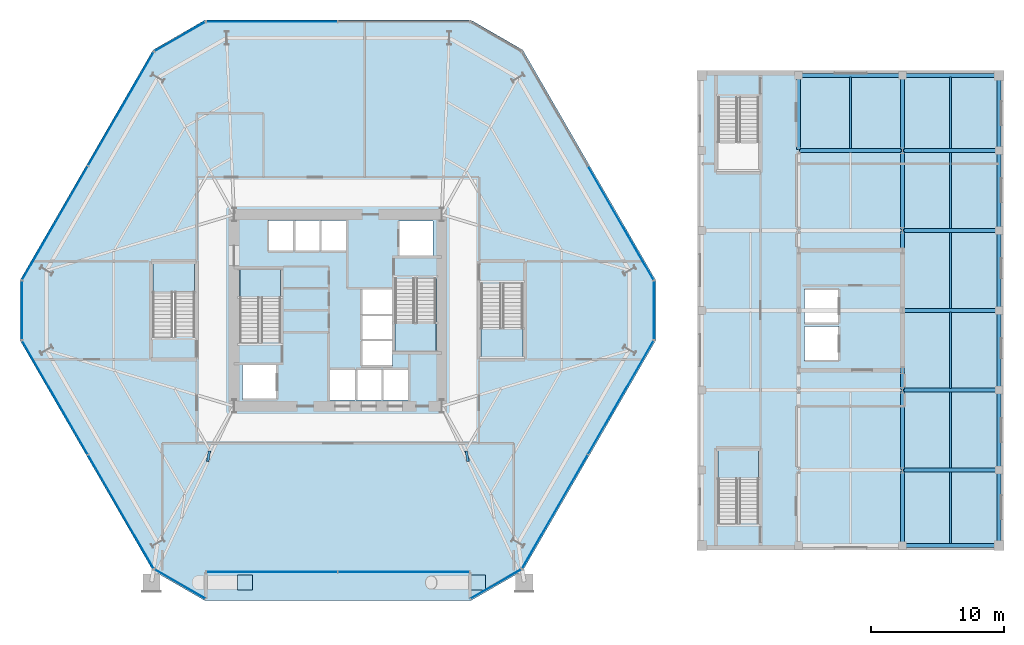
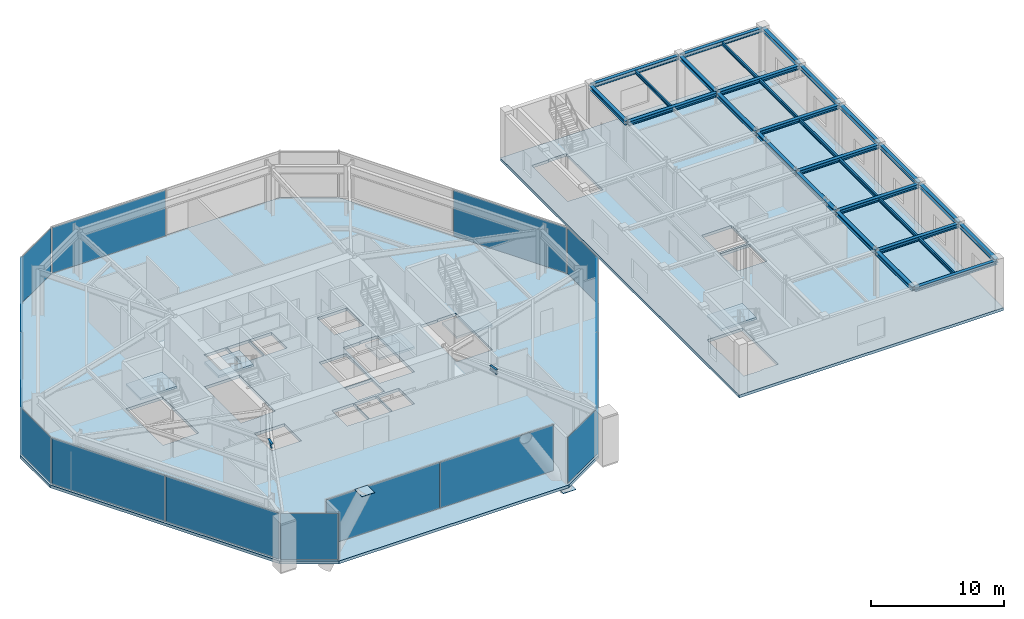
# One storey, part 14 of 23: 31 beams, 17 plates, 7 slabs, 16 elements without a shape of their own.
"""IFC4 building model written with IfcOpenShell, lengths in metres."""

from ifc_helpers import new_model, si_unit, direction, frame, origin, origin_2d, place, context, subcontext, project, spatial, polyline, rectangle, i_section, outline, extrude, material, layer, layer_set, material_profile, profile_set, type_object, element, aggregate, save


model = new_model("IFC4")

# Units and contexts
model_context = context("Model", 3, precision=1e-05, world=origin(), true_north=direction((0.0, 1.0)))
body_context = subcontext(model_context, "Body", "Model", "MODEL_VIEW")
ifc_project = project(units=[si_unit("LENGTHUNIT", "METRE"), si_unit("AREAUNIT", "SQUARE_METRE"), si_unit("VOLUMEUNIT", "CUBIC_METRE"), si_unit("PLANEANGLEUNIT", "RADIAN"), si_unit("MASSUNIT", "GRAM", prefix="KILO")], contexts=[model_context])

# Site, building, storey
site_placement = place(None, origin())
site = spatial("IfcSite", under=ifc_project, at=site_placement, CompositionType="ELEMENT")
building_placement = place(site_placement, origin())
building = spatial("IfcBuilding", under=site, at=building_placement, Name="Kranzbogen Civic Tower", CompositionType="ELEMENT")
storey_placement = place(building_placement, frame((0.0, 0.0, 9.800048828125)))
storey = spatial("IfcBuildingStorey", under=building, at=storey_placement, Name="L02", CompositionType="ELEMENT", Elevation=9.800048828125)

# Beams
ifc_material_1 = material(Name="Steel S355", Category="steel")
ifc_material_profile_1 = material_profile(ifc_material_1, i_section(OverallWidth=0.300048828125, OverallDepth=0.360107421875, WebThickness=0.012451171875, FlangeThickness=0.0224609375, at=origin_2d()), Name="HEB 360")
ifc_profile_set_1 = profile_set([ifc_material_profile_1], Name="Steel S355")
beam_type_1 = type_object("IfcBeamType", Name="Health Centre Primary Floor Beam HEB 360", PredefinedType="BEAM", material=ifc_profile_set_1)
for number, where, z_axis, x_axis, name in (
    (1, (67.4599609375, 7.35009765625, 4.159912109375), (1.0, 0.0, 0.0), (0.0, 1.0, 0.0), "L02 Health Centre X girder 3-1"),
    (2, (67.4599609375, 13.0, 4.159912109375), (1.0, 0.0, 0.0), (0.0, 1.0, 0.0), "L02 Health Centre X girder 3-2"),
    (3, (67.4599609375, 19.0, 4.159912109375), (1.0, 0.0, 0.0), (0.0, 1.0, 0.0), "L02 Health Centre X girder 3-3"),
    (4, (67.4599609375, 25.0, 4.159912109375), (1.0, 0.0, 0.0), (0.0, 1.0, 0.0), "L02 Health Centre X girder 3-4"),
    (5, (67.4599609375, 31.0, 4.159912109375), (1.0, 0.0, 0.0), (0.0, 1.0, 0.0), "L02 Health Centre X girder 3-5"),
):
    element("IfcBeam", number, at=place(storey_placement, frame(where, z_axis=z_axis, x_axis=x_axis)), inside=storey, type_object=beam_type_1, Name=name, PredefinedType="BEAM", context=body_context, shape_type="SweptSolid", body=[
        extrude(i_section(OverallWidth=0.300048828125, OverallDepth=0.360107421875, WebThickness=0.012451171875, FlangeThickness=0.0224609375, at=origin_2d()), origin(), (0.0, 0.0, 1.0), 7.130126953125),
    ])
beam_1_placement = place(storey_placement, frame((59.659912109375, 37.0, 4.159912109375), z_axis=(1.0, 0.0, 0.0), x_axis=(0.0, 1.0, 0.0)))
element("IfcBeam", 6, at=beam_1_placement, inside=storey, type_object=beam_type_1, Name="L02 Health Centre X girder 2-6", PredefinedType="BEAM", context=body_context, shape_type="SweptSolid", body=[
    extrude(i_section(OverallWidth=0.300048828125, OverallDepth=0.360107421875, WebThickness=0.012451171875, FlangeThickness=0.0224609375, at=origin_2d()), origin(), (0.0, 0.0, 1.0), 7.68017578125),
])
beam_2_placement = place(storey_placement, frame((67.4599609375, 37.0, 4.159912109375), z_axis=(1.0, 0.0, 0.0), x_axis=(0.0, 1.0, 0.0)))
element("IfcBeam", 7, at=beam_2_placement, inside=storey, type_object=beam_type_1, Name="L02 Health Centre X girder 3-6", PredefinedType="BEAM", context=body_context, shape_type="SweptSolid", body=[
    extrude(i_section(OverallWidth=0.300048828125, OverallDepth=0.360107421875, WebThickness=0.012451171875, FlangeThickness=0.0224609375, at=origin_2d()), origin(), (0.0, 0.0, 1.0), 7.130126953125),
])
beam_3_placement = place(storey_placement, frame((59.659912109375, 42.64990234375, 4.159912109375), z_axis=(1.0, 0.0, 0.0), x_axis=(0.0, 1.0, 0.0)))
element("IfcBeam", 8, at=beam_3_placement, inside=storey, type_object=beam_type_1, Name="L02 Health Centre X girder 2-7", PredefinedType="BEAM", context=body_context, shape_type="SweptSolid", body=[
    extrude(i_section(OverallWidth=0.300048828125, OverallDepth=0.360107421875, WebThickness=0.012451171875, FlangeThickness=0.0224609375, at=origin_2d()), origin(), (0.0, 0.0, 1.0), 7.68017578125),
])
beam_4_placement = place(storey_placement, frame((67.4599609375, 42.64990234375, 4.159912109375), z_axis=(1.0, 0.0, 0.0), x_axis=(0.0, 1.0, 0.0)))
element("IfcBeam", 9, at=beam_4_placement, inside=storey, type_object=beam_type_1, Name="L02 Health Centre X girder 3-7", PredefinedType="BEAM", context=body_context, shape_type="SweptSolid", body=[
    extrude(i_section(OverallWidth=0.300048828125, OverallDepth=0.360107421875, WebThickness=0.012451171875, FlangeThickness=0.0224609375, at=origin_2d()), origin(), (0.0, 0.0, 1.0), 7.130126953125),
])
for number, where, z_axis, x_axis, name in (
    (10, (67.39990234375, 7.409912109375, 4.159912109375), (0.0, 1.0, 0.0), (-1.0, 0.0, 0.0), "L02 Health Centre Y girder 3-1"),
    (11, (74.64990234375, 7.409912109375, 4.159912109375), (0.0, 1.0, 0.0), (-1.0, 0.0, 0.0), "L02 Health Centre Y girder 4-1"),
):
    element("IfcBeam", number, at=place(storey_placement, frame(where, z_axis=z_axis, x_axis=x_axis)), inside=storey, type_object=beam_type_1, Name=name, PredefinedType="BEAM", context=body_context, shape_type="SweptSolid", body=[
        extrude(i_section(OverallWidth=0.300048828125, OverallDepth=0.360107421875, WebThickness=0.012451171875, FlangeThickness=0.0224609375, at=origin_2d()), origin(), (0.0, 0.0, 1.0), 5.530029296875),
    ])
for number, where, z_axis, x_axis, name in (
    (12, (67.39990234375, 13.06005859375, 4.159912109375), (0.0, 1.0, 0.0), (-1.0, 0.0, 0.0), "L02 Health Centre Y girder 3-2"),
    (13, (74.64990234375, 13.06005859375, 4.159912109375), (0.0, 1.0, 0.0), (-1.0, 0.0, 0.0), "L02 Health Centre Y girder 4-2"),
    (14, (67.39990234375, 19.06005859375, 4.159912109375), (0.0, 1.0, 0.0), (-1.0, 0.0, 0.0), "L02 Health Centre Y girder 3-3"),
    (15, (74.64990234375, 19.06005859375, 4.159912109375), (0.0, 1.0, 0.0), (-1.0, 0.0, 0.0), "L02 Health Centre Y girder 4-3"),
    (16, (67.39990234375, 25.06005859375, 4.159912109375), (0.0, 1.0, 0.0), (-1.0, 0.0, 0.0), "L02 Health Centre Y girder 3-4"),
    (17, (74.64990234375, 25.06005859375, 4.159912109375), (0.0, 1.0, 0.0), (-1.0, 0.0, 0.0), "L02 Health Centre Y girder 4-4"),
    (18, (67.39990234375, 31.06005859375, 4.159912109375), (0.0, 1.0, 0.0), (-1.0, 0.0, 0.0), "L02 Health Centre Y girder 3-5"),
    (19, (74.64990234375, 31.06005859375, 4.159912109375), (0.0, 1.0, 0.0), (-1.0, 0.0, 0.0), "L02 Health Centre Y girder 4-5"),
):
    element("IfcBeam", number, at=place(storey_placement, frame(where, z_axis=z_axis, x_axis=x_axis)), inside=storey, type_object=beam_type_1, Name=name, PredefinedType="BEAM", context=body_context, shape_type="SweptSolid", body=[
        extrude(i_section(OverallWidth=0.300048828125, OverallDepth=0.360107421875, WebThickness=0.012451171875, FlangeThickness=0.0224609375, at=origin_2d()), origin(), (0.0, 0.0, 1.0), 5.8798828125),
    ])
for number, where, z_axis, x_axis, name in (
    (20, (59.60009765625, 37.06005859375, 4.159912109375), (0.0, 1.0, 0.0), (-1.0, 0.0, 0.0), "L02 Health Centre Y girder 2-6"),
    (21, (67.39990234375, 37.06005859375, 4.159912109375), (0.0, 1.0, 0.0), (-1.0, 0.0, 0.0), "L02 Health Centre Y girder 3-6"),
    (22, (74.64990234375, 37.06005859375, 4.159912109375), (0.0, 1.0, 0.0), (-1.0, 0.0, 0.0), "L02 Health Centre Y girder 4-6"),
):
    element("IfcBeam", number, at=place(storey_placement, frame(where, z_axis=z_axis, x_axis=x_axis)), inside=storey, type_object=beam_type_1, Name=name, PredefinedType="BEAM", context=body_context, shape_type="SweptSolid", body=[
        extrude(i_section(OverallWidth=0.300048828125, OverallDepth=0.360107421875, WebThickness=0.012451171875, FlangeThickness=0.0224609375, at=origin_2d()), origin(), (0.0, 0.0, 1.0), 5.530029296875),
    ])
ifc_material_profile_2 = material_profile(ifc_material_1, i_section(OverallWidth=0.14990234375, OverallDepth=0.300048828125, WebThickness=0.007080078125, FlangeThickness=0.0107421875, at=origin_2d()), Name="IPE 300")
ifc_profile_set_2 = profile_set([ifc_material_profile_2], Name="Steel S355")
beam_type_2 = type_object("IfcBeamType", Name="Health Centre Secondary Joist IPE 300", PredefinedType="JOIST", material=ifc_profile_set_2)
beam_5_placement = place(storey_placement, frame((71.02490234375, 7.489990234375, 4.18994140625), z_axis=(0.0, 1.0, 0.0), x_axis=(-1.0, 0.0, 0.0)))
element("IfcBeam", 23, at=beam_5_placement, inside=storey, type_object=beam_type_2, Name="L02 Health Centre secondary joist 3-1", PredefinedType="JOIST", context=body_context, shape_type="SweptSolid", body=[
    extrude(i_section(OverallWidth=0.14990234375, OverallDepth=0.300048828125, WebThickness=0.007080078125, FlangeThickness=0.0107421875, at=origin_2d()), origin(), (0.0, 0.0, 1.0), 5.3701171875),
])
for number, where, z_axis, x_axis, name in (
    (24, (71.02490234375, 13.139892578125, 4.18994140625), (0.0, 1.0, 0.0), (-1.0, 0.0, 0.0), "L02 Health Centre secondary joist 3-2"),
    (25, (71.02490234375, 19.139892578125, 4.18994140625), (0.0, 1.0, 0.0), (-1.0, 0.0, 0.0), "L02 Health Centre secondary joist 3-3"),
    (26, (71.02490234375, 25.139892578125, 4.18994140625), (0.0, 1.0, 0.0), (-1.0, 0.0, 0.0), "L02 Health Centre secondary joist 3-4"),
    (27, (71.02490234375, 31.139892578125, 4.18994140625), (0.0, 1.0, 0.0), (-1.0, 0.0, 0.0), "L02 Health Centre secondary joist 3-5"),
):
    element("IfcBeam", number, at=place(storey_placement, frame(where, z_axis=z_axis, x_axis=x_axis)), inside=storey, type_object=beam_type_2, Name=name, PredefinedType="JOIST", context=body_context, shape_type="SweptSolid", body=[
        extrude(i_section(OverallWidth=0.14990234375, OverallDepth=0.300048828125, WebThickness=0.007080078125, FlangeThickness=0.0107421875, at=origin_2d()), origin(), (0.0, 0.0, 1.0), 5.72021484375),
    ])
for number, where, z_axis, x_axis, name in (
    (28, (63.5, 37.139892578125, 4.18994140625), (0.0, 1.0, 0.0), (-1.0, 0.0, 0.0), "L02 Health Centre secondary joist 2-6"),
    (29, (71.02490234375, 37.139892578125, 4.18994140625), (0.0, 1.0, 0.0), (-1.0, 0.0, 0.0), "L02 Health Centre secondary joist 3-6"),
):
    element("IfcBeam", number, at=place(storey_placement, frame(where, z_axis=z_axis, x_axis=x_axis)), inside=storey, type_object=beam_type_2, Name=name, PredefinedType="JOIST", context=body_context, shape_type="SweptSolid", body=[
        extrude(i_section(OverallWidth=0.14990234375, OverallDepth=0.300048828125, WebThickness=0.007080078125, FlangeThickness=0.0107421875, at=origin_2d()), origin(), (0.0, 0.0, 1.0), 5.3701171875),
    ])
ifc_material_profile_3 = material_profile(ifc_material_1, i_section(OverallWidth=0.179931640625, OverallDepth=0.39990234375, WebThickness=0.008544921875, FlangeThickness=0.013427734375, at=origin_2d()), Name="IPE 400")
ifc_profile_set_3 = profile_set([ifc_material_profile_3], Name="Steel S355")
beam_type_3 = type_object("IfcBeamType", Name="Secondary Composite Floor Joist IPE 400", PredefinedType="JOIST", material=ifc_profile_set_3)
for number, where, z_axis, x_axis, name in (
    (30, (15.35400390625, 14.43603515625, 4.139892578125), (-0.156102387059, -0.987740879358, 0.0), (0.987740879358, -0.156102387059, 0.0), "L02 secondary floor joist 2.02"),
    (31, (34.77197265625, 13.638916015625, 4.139892578125), (-0.156102387059, 0.987740879358, 0.0), (-0.987740879358, -0.156102387059, 0.0), "L02 secondary floor joist 2.04"),
):
    element("IfcBeam", number, at=place(storey_placement, frame(where, z_axis=z_axis, x_axis=x_axis)), inside=storey, type_object=beam_type_3, Name=name, PredefinedType="JOIST", context=body_context, shape_type="SweptSolid", body=[
        extrude(i_section(OverallWidth=0.179931640625, OverallDepth=0.39990234375, WebThickness=0.008544921875, FlangeThickness=0.013427734375, at=origin_2d()), origin(), (0.0, 0.0, 1.0), 0.80712890625),
    ])

# Slabs
ifc_material_2 = material(Name="Concrete C40/50", Category="concrete")
ifc_layer_1 = layer(ifc_material_2, 0.260009765625, Name="Concrete C40/50")
ifc_layer_set_1 = layer_set([ifc_layer_1], Name="Concrete C40/50")
slab_type_1 = type_object("IfcSlabType", Name="Composite Podium and Sky Lobby Floor Slab 260 mm", PredefinedType="FLOOR", material=ifc_layer_set_1)
slab_1_placement = place(storey_placement, frame((0.0, 0.0, -0.260009765625)))
element("IfcSlab", 32, at=slab_1_placement, inside=storey, type_object=slab_type_1, Name="L02 tower floor slab", PredefinedType="FLOOR", context=body_context, shape_type="SweptSolid", body=[
    extrude(outline(polyline([(48.873046875, 27.25), (38.885009765625, 44.550048828125), (34.988037109375, 46.800048828125), (15.011962890625, 46.800048828125), (11.114990234375, 44.550048828125), (1.126953125, 27.25), (1.126953125, 22.75), (11.114990234375, 5.449951171875), (15.011962890625, 3.199951171875), (34.988037109375, 3.199951171875), (38.885009765625, 5.449951171875), (48.873046875, 22.75), (48.873046875, 27.25)]), holes=[polyline([(26.300048828125, 18.25), (24.39990234375, 18.25), (24.39990234375, 20.60009765625), (26.300048828125, 20.60009765625), (26.300048828125, 18.25)]), polyline([(28.27490234375, 18.25), (26.375, 18.25), (26.375, 20.60009765625), (28.27490234375, 20.60009765625), (28.27490234375, 18.25)]), polyline([(20.449951171875, 18.300048828125), (17.85009765625, 18.300048828125), (17.85009765625, 20.89990234375), (20.449951171875, 20.89990234375), (20.449951171875, 18.300048828125)]), polyline([(29.10009765625, 22.77490234375), (26.75, 22.77490234375), (26.75, 24.64990234375), (26.75, 24.675048828125), (26.75, 26.550048828125), (29.10009765625, 26.550048828125), (29.10009765625, 24.675048828125), (29.10009765625, 24.64990234375), (29.10009765625, 22.77490234375)]), polyline([(19.25, 22.659912109375), (19.25, 22.60009765625), (17.64990234375, 22.60009765625), (17.64990234375, 28.10009765625), (20.699951171875, 28.10009765625), (20.699951171875, 22.659912109375), (19.25, 22.659912109375)]), polyline([(12.75, 23.06005859375), (12.75, 23.0), (11.10009765625, 23.0), (11.10009765625, 28.550048828125), (14.25, 28.550048828125), (14.25, 23.06005859375), (12.75, 23.06005859375)]), polyline([(19.75, 29.39990234375), (19.75, 31.75), (21.64990234375, 31.75), (21.64990234375, 29.39990234375), (19.75, 29.39990234375)]), polyline([(21.72509765625, 29.39990234375), (21.72509765625, 31.75), (23.625, 31.75), (23.625, 29.39990234375), (21.72509765625, 29.39990234375)]), polyline([(25.60009765625, 29.39990234375), (23.699951171875, 29.39990234375), (23.699951171875, 31.75), (25.60009765625, 31.75), (25.60009765625, 29.39990234375)]), polyline([(30.25, 18.25), (28.35009765625, 18.25), (28.35009765625, 20.60009765625), (30.25, 20.60009765625), (30.25, 18.25)]), polyline([(26.75, 20.800048828125), (26.75, 22.699951171875), (29.10009765625, 22.699951171875), (29.10009765625, 20.800048828125), (26.75, 20.800048828125)]), polyline([(37.25, 26.93994140625), (37.25, 27.0), (38.89990234375, 27.0), (38.89990234375, 21.449951171875), (35.75, 21.449951171875), (35.75, 26.93994140625), (37.25, 26.93994140625)]), polyline([(30.75, 27.340087890625), (30.75, 27.39990234375), (32.35009765625, 27.39990234375), (32.35009765625, 21.89990234375), (29.300048828125, 21.89990234375), (29.300048828125, 27.340087890625), (30.75, 27.340087890625)]), polyline([(29.550048828125, 29.10009765625), (29.550048828125, 31.699951171875), (32.14990234375, 31.699951171875), (32.14990234375, 29.10009765625), (29.550048828125, 29.10009765625)])]), origin(), (0.0, 0.0, 1.0), 0.260009765625),
])
slab_2_placement = place(storey_placement, frame((0.0, 0.0, -0.260009765625)))
element("IfcSlab", 33, at=slab_2_placement, inside=storey, type_object=slab_type_1, Name="L02 Community Health Centre floor slab", PredefinedType="FLOOR", context=body_context, shape_type="SweptSolid", body=[
    extrude(outline(polyline([(75.0, 7.0), (75.0, 43.0), (52.0, 43.0), (52.0, 7.0), (75.0, 7.0)]), holes=[polyline([(55.14990234375, 9.06005859375), (55.14990234375, 9.0), (53.550048828125, 9.0), (53.550048828125, 14.5), (56.60009765625, 14.5), (56.60009765625, 9.06005859375), (55.14990234375, 9.06005859375)]), polyline([(60.050048828125, 21.199951171875), (60.050048828125, 23.800048828125), (62.64990234375, 23.800048828125), (62.64990234375, 21.199951171875), (60.050048828125, 21.199951171875)]), polyline([(62.64990234375, 24.0), (60.050048828125, 24.0), (60.050048828125, 26.60009765625), (62.64990234375, 26.60009765625), (62.64990234375, 24.0)]), polyline([(55.0, 41.0), (56.60009765625, 41.0), (56.60009765625, 35.5), (53.550048828125, 35.5), (53.550048828125, 40.93994140625), (55.0, 40.93994140625), (55.0, 41.0)])]), origin(), (0.0, 0.0, 1.0), 0.260009765625),
])

# Curtain wall, plate
ifc_material_3 = material(Name="Pale Anodised Aluminium", Category="aluminium")
ifc_layer_2 = layer(ifc_material_3, 0.219970703125, Name="Pale Anodised Aluminium")
ifc_layer_set_2 = layer_set([ifc_layer_2], Name="Pale Anodised Aluminium")
curtain_wall_type_1 = type_object("IfcCurtainWallType", Name="Chamfer Facet Stick Curtain Wall System CW-06", PredefinedType="USERDEFINED", material=ifc_layer_set_2)
curtain_wall_1_placement = place(storey_placement, origin())
curtain_wall_1 = element("IfcCurtainWall", 34, at=curtain_wall_1_placement, inside=storey, type_object=curtain_wall_type_1, Name="L02 curtain wall CW-L02-C2", ObjectType="STICK CURTAIN WALL", PredefinedType="USERDEFINED")
ifc_material_4 = material(Name="Low-E Triple Glazing Glass", Category="glass")
ifc_layer_3 = layer(ifc_material_4, 0.02587890625, Name="Low-E Triple Glazing Glass")
ifc_layer_set_3 = layer_set([ifc_layer_3], Name="Low-E Triple Glazing Glass")
plate_type_1 = type_object("IfcPlateType", Name="Insulated Low-E Glazing Panel 26 mm", PredefinedType="CURTAIN_PANEL", material=ifc_layer_set_3)
plate_1_placement = place(storey_placement, frame((13.133056640625, 45.554443359375, 0.06005859375), z_axis=(0.0, 0.0, 1.0), x_axis=(-0.865992001897, -0.500057849305, 0.0)))
plate_1 = element("IfcPlate", 35, at=plate_1_placement, type_object=plate_type_1, Name="CW-06 panel 1.1", PredefinedType="CURTAIN_PANEL", context=body_context, shape_type="SweptSolid", body=[
    extrude(rectangle(XDim=4.353515625, YDim=0.028076171875, at=origin_2d()), origin(), (0.0, 0.0, 1.0), 4.219970703125),
])
aggregate(curtain_wall_1, [plate_1])

curtain_wall_2_placement = place(storey_placement, origin())
curtain_wall_2 = element("IfcCurtainWall", 36, at=curtain_wall_2_placement, inside=storey, type_object=curtain_wall_type_1, Name="L02 curtain wall CW-L02-C3", ObjectType="STICK CURTAIN WALL", PredefinedType="USERDEFINED")
plate_2_placement = place(storey_placement, frame((1.26611328125, 25.0, 0.06005859375), z_axis=(0.0, 0.0, 1.0), x_axis=(0.0, -1.0, 0.0)))
plate_2 = element("IfcPlate", 37, at=plate_2_placement, type_object=plate_type_1, Name="CW-06 panel 1.1", PredefinedType="CURTAIN_PANEL", context=body_context, shape_type="SweptSolid", body=[
    extrude(rectangle(XDim=4.35400390625, YDim=0.028076171875, at=origin_2d()), origin(), (0.0, 0.0, 1.0), 4.219970703125),
])
aggregate(curtain_wall_2, [plate_2])

curtain_wall_3_placement = place(storey_placement, origin())
curtain_wall_3 = element("IfcCurtainWall", 38, at=curtain_wall_3_placement, inside=storey, type_object=curtain_wall_type_1, Name="L02 curtain wall CW-L02-C4", ObjectType="STICK CURTAIN WALL", PredefinedType="USERDEFINED")
plate_3_placement = place(storey_placement, frame((13.133056640625, 4.445556640625, 0.06005859375), z_axis=(0.0, 0.0, 1.0), x_axis=(0.865992001897, -0.500057849305, 0.0)))
plate_3 = element("IfcPlate", 39, at=plate_3_placement, type_object=plate_type_1, Name="CW-06 panel 1.1", PredefinedType="CURTAIN_PANEL", context=body_context, shape_type="SweptSolid", body=[
    extrude(rectangle(XDim=4.353515625, YDim=0.028076171875, at=origin_2d()), origin(), (0.0, 0.0, 1.0), 4.219970703125),
])
aggregate(curtain_wall_3, [plate_3])

curtain_wall_4_placement = place(storey_placement, origin())
curtain_wall_4 = element("IfcCurtainWall", 40, at=curtain_wall_4_placement, inside=storey, type_object=curtain_wall_type_1, Name="L02 curtain wall CW-L02-C5", ObjectType="STICK CURTAIN WALL", PredefinedType="USERDEFINED")
plate_4_placement = place(storey_placement, frame((36.866943359375, 4.445556640625, 0.06005859375), z_axis=(0.0, 0.0, 1.0), x_axis=(0.865992001897, 0.500057849305, 0.0)))
plate_4 = element("IfcPlate", 41, at=plate_4_placement, type_object=plate_type_1, Name="CW-06 panel 1.1", PredefinedType="CURTAIN_PANEL", context=body_context, shape_type="SweptSolid", body=[
    extrude(rectangle(XDim=4.353515625, YDim=0.028076171875, at=origin_2d()), origin(), (0.0, 0.0, 1.0), 4.219970703125),
])
aggregate(curtain_wall_4, [plate_4])

curtain_wall_5_placement = place(storey_placement, origin())
curtain_wall_5 = element("IfcCurtainWall", 42, at=curtain_wall_5_placement, inside=storey, type_object=curtain_wall_type_1, Name="L02 curtain wall CW-L02-C6", ObjectType="STICK CURTAIN WALL", PredefinedType="USERDEFINED")
plate_5_placement = place(storey_placement, frame((48.73388671875, 25.0, 0.06005859375), z_axis=(0.0, 0.0, 1.0), x_axis=(0.0, 1.0, 0.0)))
plate_5 = element("IfcPlate", 43, at=plate_5_placement, type_object=plate_type_1, Name="CW-06 panel 1.1", PredefinedType="CURTAIN_PANEL", context=body_context, shape_type="SweptSolid", body=[
    extrude(rectangle(XDim=4.35400390625, YDim=0.028076171875, at=origin_2d()), origin(), (0.0, 0.0, 1.0), 4.219970703125),
])
aggregate(curtain_wall_5, [plate_5])

ifc_layer_4 = layer(ifc_material_3, 0.219970703125, Name="Pale Anodised Aluminium")
ifc_layer_set_4 = layer_set([ifc_layer_4], Name="Pale Anodised Aluminium")
curtain_wall_type_2 = type_object("IfcCurtainWallType", Name="Podium Stick Curtain Wall System CW-01", PredefinedType="USERDEFINED", material=ifc_layer_set_4)
curtain_wall_6_placement = place(storey_placement, origin())
curtain_wall_6 = element("IfcCurtainWall", 44, at=curtain_wall_6_placement, inside=storey, type_object=curtain_wall_type_2, Name="L02 curtain wall CW-L02-F1", ObjectType="STICK CURTAIN WALL", PredefinedType="USERDEFINED")
ifc_layer_5 = layer(ifc_material_4, 0.035888671875, Name="Low-E Triple Glazing Glass")
ifc_layer_set_5 = layer_set([ifc_layer_5], Name="Low-E Triple Glazing Glass")
plate_type_2 = type_object("IfcPlateType", Name="Insulated Low-E Glazing Panel 36 mm", PredefinedType="CURTAIN_PANEL", material=ifc_layer_set_5)
plate_6_placement = place(storey_placement, frame((46.243896484375, 31.5498046875, 0.06005859375), z_axis=(0.0, 0.0, 1.0), x_axis=(-0.500005767433, 0.86602207393, 0.0)))
plate_6 = element("IfcPlate", 45, at=plate_6_placement, type_object=plate_type_2, Name="CW-01 panel 1.1", PredefinedType="CURTAIN_PANEL", context=body_context, shape_type="SweptSolid", body=[
    extrude(rectangle(XDim=9.83984375, YDim=0.028076171875, at=origin_2d()), origin(), (0.0, 0.0, 1.0), 4.219970703125),
])
aggregate(curtain_wall_6, [plate_6])

curtain_wall_7_placement = place(storey_placement, origin())
curtain_wall_7 = element("IfcCurtainWall", 46, at=curtain_wall_7_placement, inside=storey, type_object=curtain_wall_type_2, Name="L02 curtain wall CW-L02-F2", ObjectType="STICK CURTAIN WALL", PredefinedType="USERDEFINED")
plate_7_placement = place(storey_placement, frame((20.050048828125, 46.673095703125, 0.06005859375), z_axis=(0.0, 0.0, 1.0), x_axis=(-1.0, 0.0, 0.0)))
plate_7 = element("IfcPlate", 47, at=plate_7_placement, type_object=plate_type_2, Name="CW-01 panel 2.1", PredefinedType="CURTAIN_PANEL", context=body_context, shape_type="SweptSolid", body=[
    extrude(rectangle(XDim=9.840087890625, YDim=0.028076171875, at=origin_2d()), origin(), (0.0, 0.0, 1.0), 4.219970703125),
])
aggregate(curtain_wall_7, [plate_7])

# Curtain wall, plates
curtain_wall_8_placement = place(storey_placement, origin())
curtain_wall_8 = element("IfcCurtainWall", 48, at=curtain_wall_8_placement, inside=storey, type_object=curtain_wall_type_2, Name="L02 curtain wall CW-L02-F3", ObjectType="STICK CURTAIN WALL", PredefinedType="USERDEFINED")
plate_8_placement = place(storey_placement, frame((8.7060546875, 40.123291015625, 0.06005859375), z_axis=(0.0, 0.0, 1.0), x_axis=(-0.500005767433, -0.86602207393, 0.0)))
plate_8 = element("IfcPlate", 49, at=plate_8_placement, type_object=plate_type_2, Name="CW-01 panel 1.1", PredefinedType="CURTAIN_PANEL", context=body_context, shape_type="SweptSolid", body=[
    extrude(rectangle(XDim=9.83984375, YDim=0.028076171875, at=origin_2d()), origin(), (0.0, 0.0, 1.0), 4.219970703125),
])
plate_9_placement = place(storey_placement, frame((3.756103515625, 31.5498046875, 0.06005859375), z_axis=(0.0, 0.0, 1.0), x_axis=(-0.500005767433, -0.86602207393, 0.0)))
plate_9 = element("IfcPlate", 50, at=plate_9_placement, type_object=plate_type_2, Name="CW-01 panel 2.1", PredefinedType="CURTAIN_PANEL", context=body_context, shape_type="SweptSolid", body=[
    extrude(rectangle(XDim=9.83984375, YDim=0.028076171875, at=origin_2d()), origin(), (0.0, 0.0, 1.0), 4.219970703125),
])
aggregate(curtain_wall_8, [plate_8, plate_9])

curtain_wall_9_placement = place(storey_placement, origin())
curtain_wall_9 = element("IfcCurtainWall", 51, at=curtain_wall_9_placement, inside=storey, type_object=curtain_wall_type_2, Name="L02 curtain wall CW-L02-F4", ObjectType="STICK CURTAIN WALL", PredefinedType="USERDEFINED")
plate_10_placement = place(storey_placement, frame((3.756103515625, 18.4501953125, 0.06005859375), z_axis=(0.0, 0.0, 1.0), x_axis=(0.500005767433, -0.86602207393, 0.0)))
plate_10 = element("IfcPlate", 52, at=plate_10_placement, type_object=plate_type_2, Name="CW-01 panel 1.1", PredefinedType="CURTAIN_PANEL", context=body_context, shape_type="SweptSolid", body=[
    extrude(rectangle(XDim=9.83984375, YDim=0.028076171875, at=origin_2d()), origin(), (0.0, 0.0, 1.0), 4.219970703125),
])
plate_11_placement = place(storey_placement, frame((8.7060546875, 9.876708984375, 0.06005859375), z_axis=(0.0, 0.0, 1.0), x_axis=(0.500005767433, -0.86602207393, 0.0)))
plate_11 = element("IfcPlate", 53, at=plate_11_placement, type_object=plate_type_2, Name="CW-01 panel 2.1", PredefinedType="CURTAIN_PANEL", context=body_context, shape_type="SweptSolid", body=[
    extrude(rectangle(XDim=9.83984375, YDim=0.028076171875, at=origin_2d()), origin(), (0.0, 0.0, 1.0), 4.219970703125),
])
aggregate(curtain_wall_9, [plate_10, plate_11])

curtain_wall_10_placement = place(storey_placement, origin())
curtain_wall_10 = element("IfcCurtainWall", 54, at=curtain_wall_10_placement, inside=storey, type_object=curtain_wall_type_2, Name="L02 curtain wall CW-L02-F5", ObjectType="STICK CURTAIN WALL", PredefinedType="USERDEFINED")
plate_12_placement = place(storey_placement, frame((20.050048828125, 5.35009765625, 0.06005859375), z_axis=(0.0, 0.0, 1.0), x_axis=(1.0, 0.0, 0.0)))
plate_12 = element("IfcPlate", 55, at=plate_12_placement, type_object=plate_type_2, Name="CW-01 panel 1.1", PredefinedType="CURTAIN_PANEL", context=body_context, shape_type="SweptSolid", body=[
    extrude(rectangle(XDim=9.840087890625, YDim=0.028076171875, at=origin_2d()), origin(), (0.0, 0.0, 1.0), 4.219970703125),
])
plate_13_placement = place(storey_placement, frame((29.949951171875, 5.35009765625, 0.06005859375), z_axis=(0.0, 0.0, 1.0), x_axis=(1.0, 0.0, 0.0)))
plate_13 = element("IfcPlate", 56, at=plate_13_placement, type_object=plate_type_2, Name="CW-01 panel 2.1", PredefinedType="CURTAIN_PANEL", context=body_context, shape_type="SweptSolid", body=[
    extrude(rectangle(XDim=9.840087890625, YDim=0.028076171875, at=origin_2d()), origin(), (0.0, 0.0, 1.0), 4.219970703125),
])
aggregate(curtain_wall_10, [plate_12, plate_13])

curtain_wall_11_placement = place(storey_placement, origin())
curtain_wall_11 = element("IfcCurtainWall", 57, at=curtain_wall_11_placement, inside=storey, type_object=curtain_wall_type_2, Name="L02 curtain wall CW-L02-F6", ObjectType="STICK CURTAIN WALL", PredefinedType="USERDEFINED")
plate_14_placement = place(storey_placement, frame((41.2939453125, 9.876708984375, 0.06005859375), z_axis=(0.0, 0.0, 1.0), x_axis=(0.500005767433, 0.86602207393, 0.0)))
plate_14 = element("IfcPlate", 58, at=plate_14_placement, type_object=plate_type_2, Name="CW-01 panel 1.1", PredefinedType="CURTAIN_PANEL", context=body_context, shape_type="SweptSolid", body=[
    extrude(rectangle(XDim=9.83984375, YDim=0.028076171875, at=origin_2d()), origin(), (0.0, 0.0, 1.0), 4.219970703125),
])
plate_15_placement = place(storey_placement, frame((46.243896484375, 18.4501953125, 0.06005859375), z_axis=(0.0, 0.0, 1.0), x_axis=(0.500005767433, 0.86602207393, 0.0)))
plate_15 = element("IfcPlate", 59, at=plate_15_placement, type_object=plate_type_2, Name="CW-01 panel 2.1", PredefinedType="CURTAIN_PANEL", context=body_context, shape_type="SweptSolid", body=[
    extrude(rectangle(XDim=9.83984375, YDim=0.028076171875, at=origin_2d()), origin(), (0.0, 0.0, 1.0), 4.219970703125),
])
aggregate(curtain_wall_11, [plate_14, plate_15])

# Plates
ifc_material_5 = material(Name="Steel S460", Category="steel")
ifc_layer_6 = layer(ifc_material_5, 0.034912109375, Name="Steel S460")
ifc_layer_set_6 = layer_set([ifc_layer_6], Name="Steel S460")
plate_type_3 = type_object("IfcPlateType", Name="Portal Arch Sealed End Cap Plate 1120x1120x35", PredefinedType="SHEET", material=ifc_layer_set_6)
for number, where, z_axis, x_axis, name in (
    (60, (18.009033203125, 4.550048828125, 4.54736328125), (0.0, 0.0, 1.0), (1.0, 0.0, 0.0), "ARC-1: Giant South Portal Arch rib segment 2 end cap 2"),
    (61, (35.509033203125, 4.550048828125, -1.29443359375), (0.0, 0.0, 1.0), (1.0, 0.0, 0.0), "ARC-1: Giant South Portal Arch rib segment 7 end cap 2"),
):
    element("IfcPlate", number, at=place(storey_placement, frame(where, z_axis=z_axis, x_axis=x_axis)), inside=storey, type_object=plate_type_3, Name=name, PredefinedType="SHEET", context=body_context, shape_type="SweptSolid", body=[
        extrude(rectangle(XDim=1.1201171875, YDim=1.1201171875, at=origin_2d()), origin(), (0.0, 0.0, 1.0), 0.034912109375),
    ])

# Stair, slab
ifc_material_6 = material(Name="Precast concrete C40/50", Category="concrete")
stair_type_1 = type_object("IfcStairType", Name="Tower Core Pressurized Dogleg Stair 1450", PredefinedType="HALF_TURN_STAIR", material=ifc_material_6)
stair_1_placement = place(storey_placement, origin())
stair_1 = element("IfcStair", 62, at=stair_1_placement, inside=storey, type_object=stair_type_1, Name="L02 Tower Core Pressurized Stair 1", PredefinedType="HALF_TURN_STAIR")
ifc_layer_7 = layer(ifc_material_6, 0.199951171875, Name="Precast concrete C40/50")
ifc_layer_set_7 = layer_set([ifc_layer_7], Name="Precast concrete C40/50")
slab_type_2 = type_object("IfcSlabType", Name="Precast Concrete Stair Landing Slab 200 mm", PredefinedType="LANDING", material=ifc_layer_set_7)
slab_3_placement = place(storey_placement, frame((0.0, 0.0, 2.099853515625)))
slab_3 = element("IfcSlab", 63, at=slab_3_placement, type_object=slab_type_2, Name="ST-T1 landing 1", PredefinedType="LANDING", context=body_context, shape_type="SweptSolid", body=[
    extrude(outline(polyline([(20.699951171875, 25.9599609375), (20.699951171875, 28.10009765625), (17.64990234375, 28.10009765625), (17.64990234375, 25.9599609375), (20.699951171875, 25.9599609375)])), origin(), (0.0, 0.0, 1.0), 0.2001953125),
])
aggregate(stair_1, [slab_3])

stair_type_2 = type_object("IfcStairType", Name="Tower Core Secondary Dogleg Stair 1450", PredefinedType="HALF_TURN_STAIR", material=ifc_material_6)
stair_2_placement = place(storey_placement, origin())
stair_2 = element("IfcStair", 64, at=stair_2_placement, inside=storey, type_object=stair_type_2, Name="L02 Tower Core Pressurized Stair 2", PredefinedType="HALF_TURN_STAIR")
slab_4_placement = place(storey_placement, frame((0.0, 0.0, 2.099853515625)))
slab_4 = element("IfcSlab", 65, at=slab_4_placement, type_object=slab_type_2, Name="ST-T2 landing 1", PredefinedType="LANDING", context=body_context, shape_type="SweptSolid", body=[
    extrude(outline(polyline([(29.300048828125, 24.0400390625), (29.300048828125, 21.89990234375), (32.35009765625, 21.89990234375), (32.35009765625, 24.0400390625), (29.300048828125, 24.0400390625)])), origin(), (0.0, 0.0, 1.0), 0.2001953125),
])
aggregate(stair_2, [slab_4])

stair_type_3 = type_object("IfcStairType", Name="Podium Assembly Dogleg Stair 1500", PredefinedType="HALF_TURN_STAIR", material=ifc_material_6)
stair_3_placement = place(storey_placement, origin())
stair_3 = element("IfcStair", 66, at=stair_3_placement, inside=storey, type_object=stair_type_3, Name="L02 Podium Assembly Stair West", PredefinedType="HALF_TURN_STAIR")
slab_5_placement = place(storey_placement, frame((0.0, 0.0, 2.099853515625)))
slab_5 = element("IfcSlab", 67, at=slab_5_placement, type_object=slab_type_2, Name="ST-P1 landing 1", PredefinedType="LANDING", context=body_context, shape_type="SweptSolid", body=[
    extrude(outline(polyline([(14.25, 26.360107421875), (14.25, 28.550048828125), (11.10009765625, 28.550048828125), (11.10009765625, 26.360107421875), (14.25, 26.360107421875)])), origin(), (0.0, 0.0, 1.0), 0.2001953125),
])
aggregate(stair_3, [slab_5])

stair_4_placement = place(storey_placement, origin())
stair_4 = element("IfcStair", 68, at=stair_4_placement, inside=storey, type_object=stair_type_3, Name="L02 Podium Assembly Stair East", PredefinedType="HALF_TURN_STAIR")
slab_6_placement = place(storey_placement, frame((0.0, 0.0, 2.099853515625)))
slab_6 = element("IfcSlab", 69, at=slab_6_placement, type_object=slab_type_2, Name="ST-P2 landing 1", PredefinedType="LANDING", context=body_context, shape_type="SweptSolid", body=[
    extrude(outline(polyline([(35.75, 23.639892578125), (35.75, 21.449951171875), (38.89990234375, 21.449951171875), (38.89990234375, 23.639892578125), (35.75, 23.639892578125)])), origin(), (0.0, 0.0, 1.0), 0.2001953125),
])
aggregate(stair_4, [slab_6])

stair_type_4 = type_object("IfcStairType", Name="Health Centre Escape Dogleg Stair 1450", PredefinedType="HALF_TURN_STAIR", material=ifc_material_6)
stair_5_placement = place(storey_placement, origin())
stair_5 = element("IfcStair", 70, at=stair_5_placement, inside=storey, type_object=stair_type_4, Name="L02 Health Centre Escape Stair 1", PredefinedType="HALF_TURN_STAIR")
slab_7_placement = place(storey_placement, frame((0.0, 0.0, 2.099853515625)))
slab_7 = element("IfcSlab", 71, at=slab_7_placement, type_object=slab_type_2, Name="ST-H1 landing 1", PredefinedType="LANDING", context=body_context, shape_type="SweptSolid", body=[
    extrude(outline(polyline([(56.60009765625, 12.360107421875), (56.60009765625, 14.5), (53.550048828125, 14.5), (53.550048828125, 12.360107421875), (56.60009765625, 12.360107421875)])), origin(), (0.0, 0.0, 1.0), 0.2001953125),
])
aggregate(stair_5, [slab_7])

save(model, "model.ifc")
